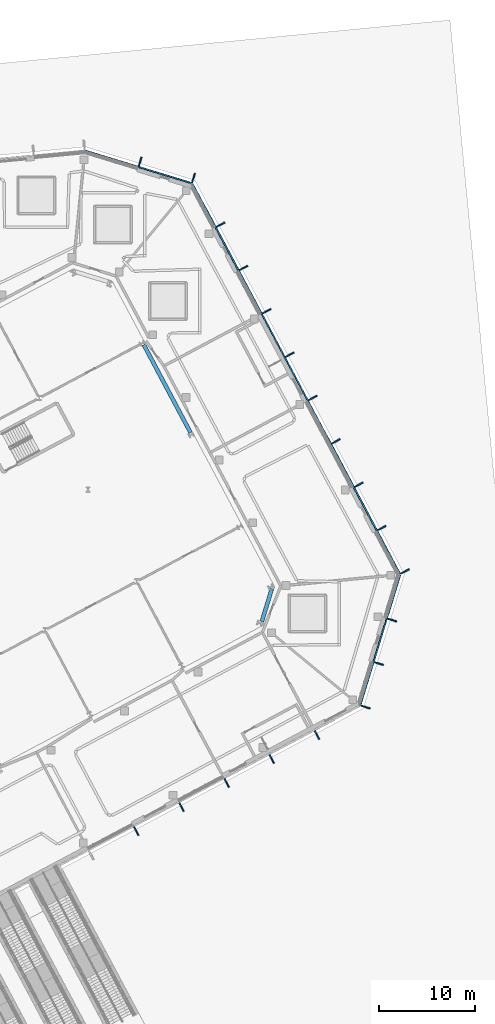
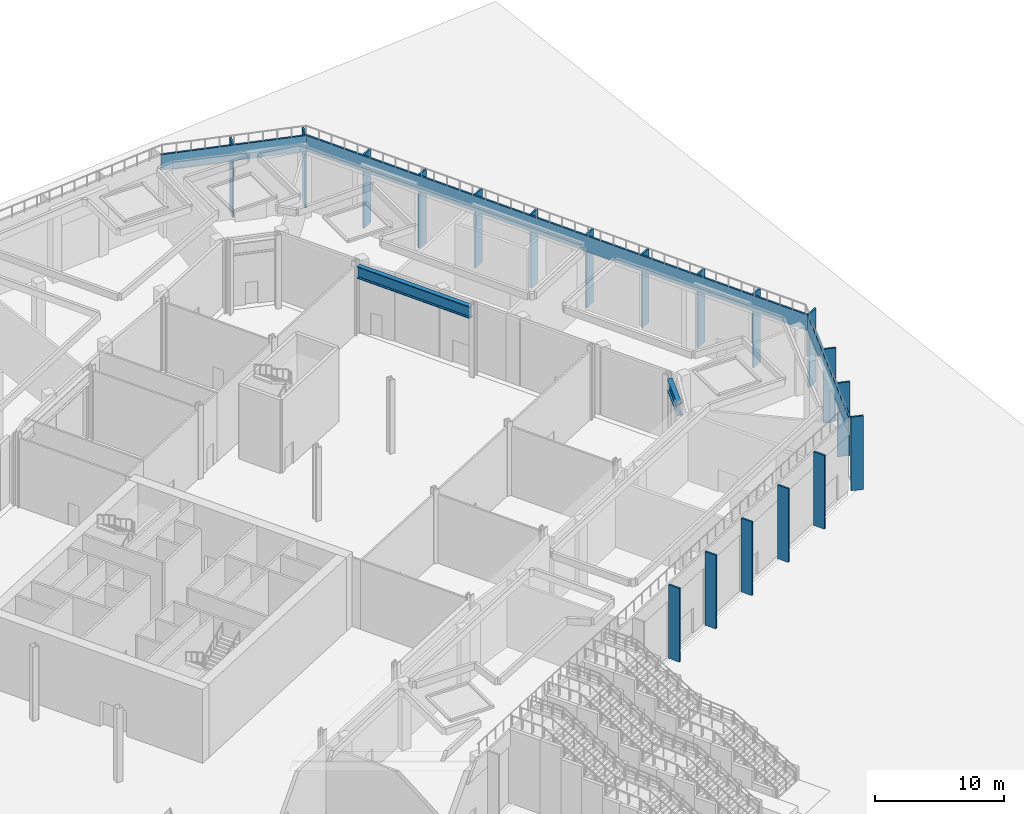
# One storey, part 10 of 57: 22 members, 2 beams, 4 elements without a shape of their own.
"""IFC4 building model written with IfcOpenShell, lengths in metres."""

from ifc_helpers import new_model, si_unit, direction, frame, origin, origin_2d, place, context, subcontext, project, spatial, rectangle, i_section, extrude, material, layer, layer_set, material_profile, profile_set, type_object, element, aggregate, save


model = new_model("IFC4")

# Units and contexts
model_context = context("Model", 3, precision=1e-05, world=origin(), true_north=direction((0.0, 1.0)))
body_context = subcontext(model_context, "Body", "Model", "MODEL_VIEW")
ifc_project = project(units=[si_unit("LENGTHUNIT", "METRE"), si_unit("AREAUNIT", "SQUARE_METRE"), si_unit("VOLUMEUNIT", "CUBIC_METRE"), si_unit("PLANEANGLEUNIT", "RADIAN"), si_unit("MASSUNIT", "GRAM", prefix="KILO")], contexts=[model_context])

# Site, building, storey
site_placement = place(None, origin())
site = spatial("IfcSite", under=ifc_project, at=site_placement, CompositionType="ELEMENT")
building_placement = place(site_placement, origin())
building = spatial("IfcBuilding", under=site, at=building_placement, Name="Cormorant Relay Tower", CompositionType="ELEMENT")
storey_placement = place(building_placement, origin())
storey = spatial("IfcBuildingStorey", under=building, at=storey_placement, Name="L00", CompositionType="ELEMENT", Elevation=0.0)

# Curtain wall, members
ifc_material_1 = material(Name="Aluminium 6063-T6 anodised bronze", Category="aluminium")
ifc_layer = layer(ifc_material_1, 0.199951171875)
ifc_layer_set = layer_set([ifc_layer], Name="CW2 base storefront")
curtain_wall_type = type_object("IfcCurtainWallType", Name="CW2 base storefront", PredefinedType="NOTDEFINED", material=ifc_layer_set)
curtain_wall_1_placement = place(storey_placement, origin())
curtain_wall_1 = element("IfcCurtainWall", 1, at=curtain_wall_1_placement, inside=storey, type_object=curtain_wall_type, Name="CW2 curtain wall 1", PredefinedType="NOTDEFINED")
ifc_material_2 = material(Name="Aluminium 6063-T6 anodised bronze", Category="aluminium")
ifc_material_profile_1 = material_profile(ifc_material_2, rectangle(XDim=0.14990234375, YDim=1.0, at=origin_2d()), Name="AL 150x1000")
ifc_profile_set_1 = profile_set([ifc_material_profile_1], Name="Aluminium 6063-T6 anodised bronze")
member_type_1 = type_object("IfcMemberType", Name="CW2 bronze fin mullion 150 x 1000", PredefinedType="MULLION", material=ifc_profile_set_1)
member_1_placement = place(storey_placement, frame((57.64453125, -7.517333984375, 0.0), z_axis=(0.0, 0.0, 1.0), x_axis=(0.882947592859, 0.469471562786, 0.0)))
member_1 = element("IfcMember", 2, at=member_1_placement, type_object=member_type_1, Name="CW2 fin 1.12", PredefinedType="MULLION", context=body_context, shape_type="SweptSolid", body=[
    extrude(rectangle(XDim=0.14990234375, YDim=1.0, at=origin_2d()), origin(), (0.0, 0.0, 1.0), 7.0),
])
member_2_placement = place(storey_placement, frame((62.34228515625, -5.01953125, 0.0), z_axis=(0.0, 0.0, 1.0), x_axis=(0.882947592859, 0.469471562786, 0.0)))
member_2 = element("IfcMember", 3, at=member_2_placement, type_object=member_type_1, Name="CW2 fin 1.13", PredefinedType="MULLION", context=body_context, shape_type="SweptSolid", body=[
    extrude(rectangle(XDim=0.14990234375, YDim=1.0, at=origin_2d()), origin(), (0.0, 0.0, 1.0), 7.0),
])
member_3_placement = place(storey_placement, frame((67.0400390625, -2.521728515625, 0.0), z_axis=(0.0, 0.0, 1.0), x_axis=(0.882947592859, 0.469471562786, 0.0)))
member_3 = element("IfcMember", 4, at=member_3_placement, type_object=member_type_1, Name="CW2 fin 1.14", PredefinedType="MULLION", context=body_context, shape_type="SweptSolid", body=[
    extrude(rectangle(XDim=0.14990234375, YDim=1.0, at=origin_2d()), origin(), (0.0, 0.0, 1.0), 7.0),
])
member_4_placement = place(storey_placement, frame((71.73779296875, -0.02392578125, 0.0), z_axis=(0.0, 0.0, 1.0), x_axis=(0.882947592859, 0.469471562786, 0.0)))
member_4 = element("IfcMember", 5, at=member_4_placement, type_object=member_type_1, Name="CW2 fin 1.15", PredefinedType="MULLION", context=body_context, shape_type="SweptSolid", body=[
    extrude(rectangle(XDim=0.14990234375, YDim=1.0, at=origin_2d()), origin(), (0.0, 0.0, 1.0), 7.0),
])
member_5_placement = place(storey_placement, frame((76.435546875, 2.473876953125, 0.0), z_axis=(0.0, 0.0, 1.0), x_axis=(0.882947592859, 0.469471562786, 0.0)))
member_5 = element("IfcMember", 6, at=member_5_placement, type_object=member_type_1, Name="CW2 fin 1.16", PredefinedType="MULLION", context=body_context, shape_type="SweptSolid", body=[
    extrude(rectangle(XDim=0.14990234375, YDim=1.0, at=origin_2d()), origin(), (0.0, 0.0, 1.0), 7.0),
])
aggregate(curtain_wall_1, [member_1, member_2, member_3, member_4, member_5])

curtain_wall_2_placement = place(storey_placement, origin())
curtain_wall_2 = element("IfcCurtainWall", 7, at=curtain_wall_2_placement, inside=storey, type_object=curtain_wall_type, Name="CW2 curtain wall 2", PredefinedType="NOTDEFINED")
member_6_placement = place(storey_placement, frame((81.47412109375, 5.385009765625, 0.0), z_axis=(0.0, 0.0, 1.0), x_axis=(0.292371704723, 0.956304755963, 0.0)))
member_6 = element("IfcMember", 8, at=member_6_placement, type_object=member_type_1, Name="CW2 fin 2.1", PredefinedType="MULLION", context=body_context, shape_type="SweptSolid", body=[
    extrude(rectangle(XDim=0.14990234375, YDim=1.0, at=origin_2d()), origin(), (0.0, 0.0, 1.0), 7.0),
])
member_7_placement = place(storey_placement, frame((82.8564453125, 9.906494140625, 0.0), z_axis=(0.0, 0.0, 1.0), x_axis=(0.292371704723, 0.956304755963, 0.0)))
member_7 = element("IfcMember", 9, at=member_7_placement, type_object=member_type_1, Name="CW2 fin 2.2", PredefinedType="MULLION", context=body_context, shape_type="SweptSolid", body=[
    extrude(rectangle(XDim=0.14990234375, YDim=1.0, at=origin_2d()), origin(), (0.0, 0.0, 1.0), 7.0),
])
member_8_placement = place(storey_placement, frame((84.23876953125, 14.427734375, 0.0), z_axis=(0.0, 0.0, 1.0), x_axis=(0.292371704723, 0.956304755963, 0.0)))
member_8 = element("IfcMember", 10, at=member_8_placement, type_object=member_type_1, Name="CW2 fin 2.3", PredefinedType="MULLION", context=body_context, shape_type="SweptSolid", body=[
    extrude(rectangle(XDim=0.14990234375, YDim=1.0, at=origin_2d()), origin(), (0.0, 0.0, 1.0), 7.0),
])

curtain_wall_3_placement = place(storey_placement, origin())
curtain_wall_3 = element("IfcCurtainWall", 11, at=curtain_wall_3_placement, inside=storey, type_object=curtain_wall_type, Name="CW2 curtain wall 3", PredefinedType="NOTDEFINED")
member_9_placement = place(storey_placement, frame((85.569580078125, 19.482421875, 0.0), z_axis=(0.0, 0.0, 1.0), x_axis=(-0.469471562786, 0.882947592859, 0.0)))
member_9 = element("IfcMember", 12, at=member_9_placement, type_object=member_type_1, Name="CW2 fin 3.1", PredefinedType="MULLION", context=body_context, shape_type="SweptSolid", body=[
    extrude(rectangle(XDim=0.14990234375, YDim=1.0, at=origin_2d()), origin(), (0.0, 0.0, 1.0), 7.0),
])
member_10_placement = place(storey_placement, frame((83.173095703125, 23.989501953125, 0.0), z_axis=(0.0, 0.0, 1.0), x_axis=(-0.469471562786, 0.882947592859, 0.0)))
member_10 = element("IfcMember", 13, at=member_10_placement, type_object=member_type_1, Name="CW2 fin 3.2", PredefinedType="MULLION", context=body_context, shape_type="SweptSolid", body=[
    extrude(rectangle(XDim=0.14990234375, YDim=1.0, at=origin_2d()), origin(), (0.0, 0.0, 1.0), 7.0),
])
member_11_placement = place(storey_placement, frame((80.77685546875, 28.49658203125, 0.0), z_axis=(0.0, 0.0, 1.0), x_axis=(-0.469471562786, 0.882947592859, 0.0)))
member_11 = element("IfcMember", 14, at=member_11_placement, type_object=member_type_1, Name="CW2 fin 3.3", PredefinedType="MULLION", context=body_context, shape_type="SweptSolid", body=[
    extrude(rectangle(XDim=0.14990234375, YDim=1.0, at=origin_2d()), origin(), (0.0, 0.0, 1.0), 7.0),
])
member_12_placement = place(storey_placement, frame((78.38037109375, 33.003662109375, 0.0), z_axis=(0.0, 0.0, 1.0), x_axis=(-0.469471562786, 0.882947592859, 0.0)))
member_12 = element("IfcMember", 15, at=member_12_placement, type_object=member_type_1, Name="CW2 fin 3.4", PredefinedType="MULLION", context=body_context, shape_type="SweptSolid", body=[
    extrude(rectangle(XDim=0.14990234375, YDim=1.0, at=origin_2d()), origin(), (0.0, 0.0, 1.0), 7.0),
])
member_13_placement = place(storey_placement, frame((75.98388671875, 37.5107421875, 0.0), z_axis=(0.0, 0.0, 1.0), x_axis=(-0.469471562786, 0.882947592859, 0.0)))
member_13 = element("IfcMember", 16, at=member_13_placement, type_object=member_type_1, Name="CW2 fin 3.5", PredefinedType="MULLION", context=body_context, shape_type="SweptSolid", body=[
    extrude(rectangle(XDim=0.14990234375, YDim=1.0, at=origin_2d()), origin(), (0.0, 0.0, 1.0), 7.0),
])
member_14_placement = place(storey_placement, frame((73.58740234375, 42.017822265625, 0.0), z_axis=(0.0, 0.0, 1.0), x_axis=(-0.469471562786, 0.882947592859, 0.0)))
member_14 = element("IfcMember", 17, at=member_14_placement, type_object=member_type_1, Name="CW2 fin 3.6", PredefinedType="MULLION", context=body_context, shape_type="SweptSolid", body=[
    extrude(rectangle(XDim=0.14990234375, YDim=1.0, at=origin_2d()), origin(), (0.0, 0.0, 1.0), 7.0),
])
member_15_placement = place(storey_placement, frame((71.19091796875, 46.52490234375, 0.0), z_axis=(0.0, 0.0, 1.0), x_axis=(-0.469471562786, 0.882947592859, 0.0)))
member_15 = element("IfcMember", 18, at=member_15_placement, type_object=member_type_1, Name="CW2 fin 3.7", PredefinedType="MULLION", context=body_context, shape_type="SweptSolid", body=[
    extrude(rectangle(XDim=0.14990234375, YDim=1.0, at=origin_2d()), origin(), (0.0, 0.0, 1.0), 7.0),
])
member_16_placement = place(storey_placement, frame((68.79443359375, 51.031982421875, 0.0), z_axis=(0.0, 0.0, 1.0), x_axis=(-0.469471562786, 0.882947592859, 0.0)))
member_16 = element("IfcMember", 19, at=member_16_placement, type_object=member_type_1, Name="CW2 fin 3.8", PredefinedType="MULLION", context=body_context, shape_type="SweptSolid", body=[
    extrude(rectangle(XDim=0.14990234375, YDim=1.0, at=origin_2d()), origin(), (0.0, 0.0, 1.0), 7.0),
])
member_17_placement = place(storey_placement, frame((66.398193359375, 55.5390625, 0.0), z_axis=(0.0, 0.0, 1.0), x_axis=(-0.469471562786, 0.882947592859, 0.0)))
member_17 = element("IfcMember", 20, at=member_17_placement, type_object=member_type_1, Name="CW2 fin 3.9", PredefinedType="MULLION", context=body_context, shape_type="SweptSolid", body=[
    extrude(rectangle(XDim=0.14990234375, YDim=1.0, at=origin_2d()), origin(), (0.0, 0.0, 1.0), 7.0),
])

curtain_wall_4_placement = place(storey_placement, origin())
curtain_wall_4 = element("IfcCurtainWall", 21, at=curtain_wall_4_placement, inside=storey, type_object=curtain_wall_type, Name="CW2 curtain wall 4", PredefinedType="NOTDEFINED")
member_18_placement = place(storey_placement, frame((63.588134765625, 60.38671875, 0.0), z_axis=(0.0, 0.0, 1.0), x_axis=(-0.956304755963, 0.292371704723, 0.0)))
member_18 = element("IfcMember", 22, at=member_18_placement, type_object=member_type_1, Name="CW2 fin 4.1", PredefinedType="MULLION", context=body_context, shape_type="SweptSolid", body=[
    extrude(rectangle(XDim=0.14990234375, YDim=1.0, at=origin_2d()), origin(), (0.0, 0.0, 1.0), 7.0),
])
member_19_placement = place(storey_placement, frame((58.041259765625, 62.082763671875, 0.0), z_axis=(0.0, 0.0, 1.0), x_axis=(-0.956304755963, 0.292371704723, 0.0)))
member_19 = element("IfcMember", 23, at=member_19_placement, type_object=member_type_1, Name="CW2 fin 4.2", PredefinedType="MULLION", context=body_context, shape_type="SweptSolid", body=[
    extrude(rectangle(XDim=0.14990234375, YDim=1.0, at=origin_2d()), origin(), (0.0, 0.0, 1.0), 7.0),
])

# Member
ifc_material_3 = material(Name="Aluminium 6063-T6 anodised bronze", Category="aluminium")
ifc_material_profile_2 = material_profile(ifc_material_3, rectangle(XDim=0.159912109375, YDim=1.5, at=origin_2d()), Name="AL 160x1500")
ifc_profile_set_2 = profile_set([ifc_material_profile_2], Name="Aluminium 6063-T6 anodised bronze")
member_type_2 = type_object("IfcMemberType", Name="CW2 bronze transom 160 x 1500", PredefinedType="USERDEFINED", material=ifc_profile_set_2)
member_20_placement = place(storey_placement, frame((80.91943359375, 5.5546875, 6.25), z_axis=(0.292375085955, 0.95630372221, 0.0), x_axis=(-0.95630372221, 0.292375085955, 0.0)))
member_20 = element("IfcMember", 24, at=member_20_placement, type_object=member_type_2, Name="CW2 transom 2", ObjectType="TRANSOM", PredefinedType="USERDEFINED", context=body_context, shape_type="SweptSolid", body=[
    extrude(rectangle(XDim=0.159912109375, YDim=1.5, at=origin_2d()), origin(), (0.0, 0.0, 1.0), 14.183837890625),
])

aggregate(curtain_wall_2, [member_6, member_7, member_8, member_20])

member_21_placement = place(storey_placement, frame((85.0576171875, 19.210205078125, 6.25), z_axis=(-0.46947380556, 0.882946400351, 0.0), x_axis=(-0.882946400351, -0.46947380556, 0.0)))
member_21 = element("IfcMember", 25, at=member_21_placement, type_object=member_type_2, Name="CW2 transom 3", ObjectType="TRANSOM", PredefinedType="USERDEFINED", context=body_context, shape_type="SweptSolid", body=[
    extrude(rectangle(XDim=0.159912109375, YDim=1.5, at=origin_2d()), origin(), (0.0, 0.0, 1.0), 45.941162109375),
])

aggregate(curtain_wall_3, [member_9, member_10, member_11, member_12, member_13, member_14, member_15, member_16, member_17, member_21])

member_22_placement = place(storey_placement, frame((63.418701171875, 59.832275390625, 6.25), z_axis=(-0.956308921216, 0.292358080446, 0.0), x_axis=(-0.292358080446, -0.956308921216, 0.0)))
member_22 = element("IfcMember", 26, at=member_22_placement, type_object=member_type_2, Name="CW2 transom 4", ObjectType="TRANSOM", PredefinedType="USERDEFINED", context=body_context, shape_type="SweptSolid", body=[
    extrude(rectangle(XDim=0.159912109375, YDim=1.5, at=origin_2d()), origin(), (0.0, 0.0, 1.0), 11.600830078125),
])

aggregate(curtain_wall_4, [member_18, member_19, member_22])

# Beams
ifc_material_4 = material(Name="Steel ASTM A992 (Fy 345 MPa)", Category="steel")
ifc_material_profile_3 = material_profile(ifc_material_4, i_section(OverallWidth=0.408935546875, OverallDepth=1.137939453125, WebThickness=0.031005859375, FlangeThickness=0.05517578125, FilletRadius=0.02001953125, at=origin_2d()), Name="W1100x607")
ifc_profile_set_3 = profile_set([ifc_material_profile_3], Name="Steel ASTM A992 (Fy 345 MPa)")
beam_type = type_object("IfcBeamType", Name="Spandrel W1100x607", PredefinedType="SPANDREL", material=ifc_profile_set_3)
beam_1_placement = place(storey_placement, frame((70.697998046875, 14.275390625, 5.98095703125), z_axis=(0.292400100269, 0.956296074112, 0.0), x_axis=(-0.956296074112, 0.292400100269, 0.0)))
element("IfcBeam", 27, at=beam_1_placement, inside=storey, type_object=beam_type, Name="Spandrel beam L00-003", PredefinedType="SPANDREL", context=body_context, shape_type="SweptSolid", body=[
    extrude(i_section(OverallWidth=0.408935546875, OverallDepth=1.137939453125, WebThickness=0.031005859375, FlangeThickness=0.05517578125, FilletRadius=0.02001953125, at=origin_2d()), origin(), (0.0, 0.0, 1.0), 3.552734375),
])
beam_2_placement = place(storey_placement, frame((63.289306640625, 33.898681640625, 5.98095703125), z_axis=(-0.469471540599, 0.882947604656, 0.0), x_axis=(-0.882947604656, -0.469471540599, 0.0)))
element("IfcBeam", 28, at=beam_2_placement, inside=storey, type_object=beam_type, Name="Spandrel beam L00-004", PredefinedType="SPANDREL", context=body_context, shape_type="SweptSolid", body=[
    extrude(i_section(OverallWidth=0.408935546875, OverallDepth=1.137939453125, WebThickness=0.031005859375, FlangeThickness=0.05517578125, FilletRadius=0.02001953125, at=origin_2d()), origin(), (0.0, 0.0, 1.0), 10.36376953125),
])

save(model, "model.ifc")
